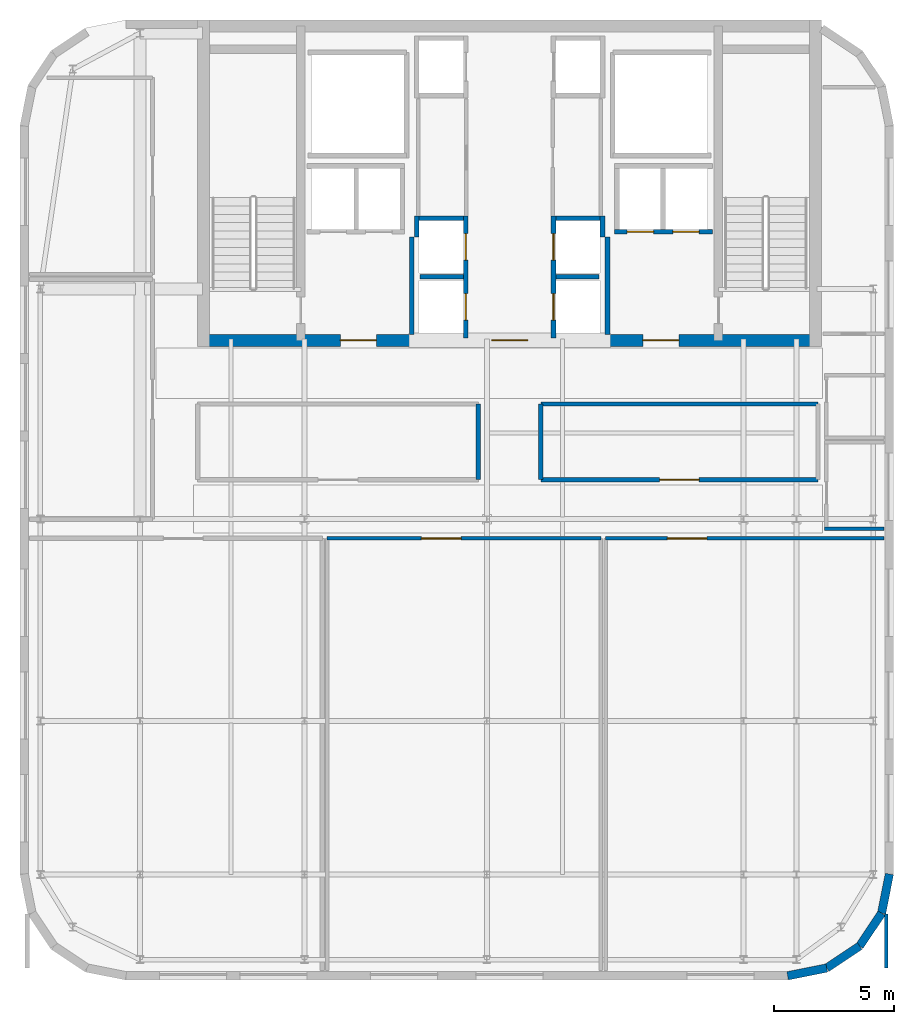
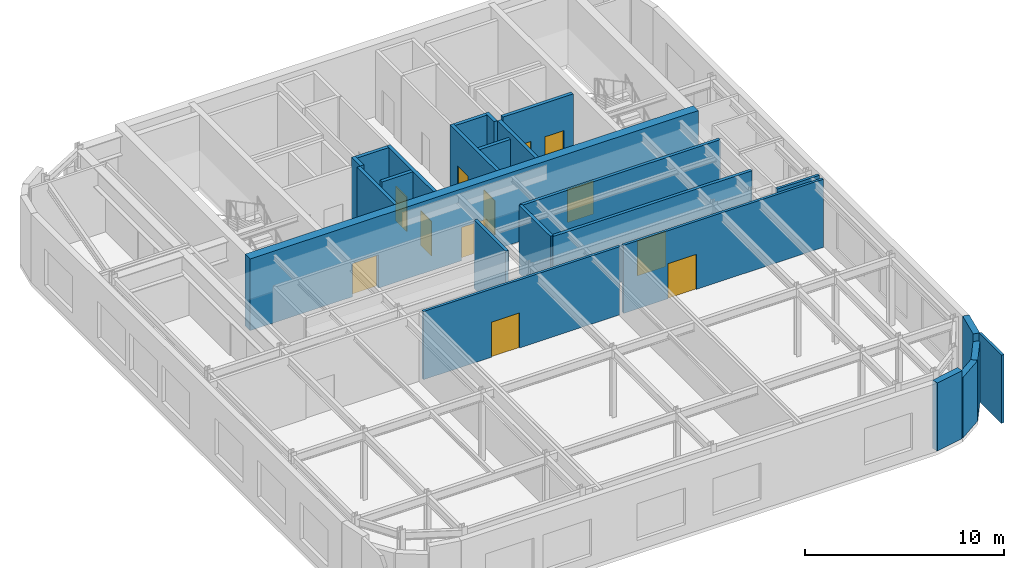
# One storey, part 7 of 10: 24 walls, 12 doors, 12 openings.
"""IFC4 building model written with IfcOpenShell, lengths in metres."""

import ifcopenshell
import ifcopenshell.guid

model = None  # the IFC model being written
_history = None  # IfcOwnerHistory: only IFC2X3 demands one
_inside = {}  # id of a spatial element -> (the spatial element, [elements in it])
_under = {}  # id of a project, library or spatial element -> (it, [spatial elements below it])
_declared = {}  # id of a project -> (the project, [libraries it declares])
_typed = {}  # id of a type object -> (the type object, [elements of that type])
_made_of = {}  # id of a material, layer set ... -> (it, [elements and type objects made of it])


def new_model(schema):
    """Start an empty IFC model of exactly this schema.

    Asked for "IFC4X3", IfcOpenShell would pick the latest addendum, in which some entities
    have other attributes; the version numbers below select the first issue.
    IFC2X3 requires an IfcOwnerHistory on every rooted entity: one is made here for all.
    """
    global model, _history
    if schema == "IFC4X3":
        model = ifcopenshell.file(schema_version=(4, 3, 0, 0))
    else:
        model = ifcopenshell.file(schema=schema)
    _inside.clear()
    _under.clear()
    _declared.clear()
    _typed.clear()
    _made_of.clear()
    _history = None
    if model.schema == "IFC2X3":
        org = make("IfcOrganization", Name="unknown")
        user = make(
            "IfcPersonAndOrganization",
            ThePerson=make("IfcPerson", FamilyName="unknown"),
            TheOrganization=org,
        )
        app = make(
            "IfcApplication",
            ApplicationDeveloper=org,
            Version="unknown",
            ApplicationFullName="unknown",
            ApplicationIdentifier="unknown",
        )
        _history = make(
            "IfcOwnerHistory",
            OwningUser=user,
            OwningApplication=app,
            ChangeAction="ADDED",
            CreationDate=0,
        )
    return model


def make(cls, **values):
    """One entity of the class cls with the attributes given. An attribute that is None is left unset."""
    return model.create_entity(
        cls, **{name: value for name, value in values.items() if value is not None}
    )


def rooted(cls, **values):
    """An entity with a GlobalId (a new one), such as an element, a storey or a relation."""
    return make(cls, GlobalId=ifcopenshell.guid.new(), OwnerHistory=_history, **values)


def si_unit(unit_type, name, prefix=None):
    """IfcSIUnit, for example si_unit("LENGTHUNIT", "METRE", prefix="MILLI")."""
    return make("IfcSIUnit", UnitType=unit_type, Prefix=prefix, Name=name)


def assignment(units):
    """IfcUnitAssignment: the units of a project."""
    return None if units is None else make("IfcUnitAssignment", Units=units)


def point(xyz):
    """IfcCartesianPoint."""
    return None if xyz is None else make("IfcCartesianPoint", Coordinates=xyz)


def direction(xyz):
    """IfcDirection."""
    return None if xyz is None else make("IfcDirection", DirectionRatios=xyz)


def frame(location, z_axis=None, x_axis=None):
    """IfcAxis2Placement3D, a coordinate frame: its origin and axes. An axis left out is left unset."""
    return make(
        "IfcAxis2Placement3D",
        Location=point(location),
        Axis=direction(z_axis),
        RefDirection=direction(x_axis),
    )


def frame_2d(location, x_axis=None):
    """IfcAxis2Placement2D, a coordinate frame in the plane: its origin and x axis."""
    return make(
        "IfcAxis2Placement2D", Location=point(location), RefDirection=direction(x_axis)
    )


def origin():
    """The frame at (0, 0, 0) with its axes left unset."""
    return frame((0.0, 0.0, 0.0))


def place(relative_to, where):
    """IfcLocalPlacement: puts the frame where relative to a parent placement (None: the world)."""
    return make(
        "IfcLocalPlacement", PlacementRelTo=relative_to, RelativePlacement=where
    )


def context(
    kind, dimensions, precision=None, world=None, true_north=None, identifier=None
):
    """IfcGeometricRepresentationContext, for example the 3D "Model" context."""
    return make(
        "IfcGeometricRepresentationContext",
        ContextIdentifier=identifier,
        ContextType=kind,
        CoordinateSpaceDimension=dimensions,
        Precision=precision,
        WorldCoordinateSystem=world,
        TrueNorth=true_north,
    )


def subcontext(parent, identifier, kind, view, scale=None):
    """IfcGeometricRepresentationSubContext, for example "Body" below "Model"."""
    return make(
        "IfcGeometricRepresentationSubContext",
        ContextIdentifier=identifier,
        ContextType=kind,
        ParentContext=parent,
        TargetScale=scale,
        TargetView=view,
    )


def project(units=None, contexts=None):
    """IfcProject with its units and contexts."""
    return rooted(
        "IfcProject",
        Name="project",
        RepresentationContexts=contexts,
        UnitsInContext=assignment(units),
    )


def spatial(cls, under=None, at=None, **own):
    """A site, building, storey or space (cls), placed at a placement, below another one or the project."""
    s = rooted(cls, ObjectPlacement=at, **own)
    if under is not None:
        _under.setdefault(under.id(), (under, []))[1].append(s)
    return s


def profile(cls, at=None, kind="AREA", **sizes):
    """A parametric profile (cls). Its sizes go by their IFC names, for example OverallWidth=200.0."""
    return make(cls, ProfileType=kind, Position=at, **sizes)


def rectangle(**sizes):
    """IfcRectangleProfileDef."""
    return profile("IfcRectangleProfileDef", **sizes)


def extrude(swept, where, along, depth):
    """IfcExtrudedAreaSolid: the profile swept, set in the frame where, extruded along a direction by depth."""
    return make(
        "IfcExtrudedAreaSolid",
        SweptArea=swept,
        Position=where,
        ExtrudedDirection=direction(along),
        Depth=depth,
    )


def shape(context_of_items, identifier, shape_type, items):
    """IfcShapeRepresentation: the items that make up one representation, for example the "Body"."""
    return make(
        "IfcShapeRepresentation",
        ContextOfItems=context_of_items,
        RepresentationIdentifier=identifier,
        RepresentationType=shape_type,
        Items=items,
    )


def source(mapping_origin, context_of_items, identifier, shape_type, items):
    """IfcRepresentationMap: a shape defined once, which mapped items show again and again."""
    return make(
        "IfcRepresentationMap",
        MappingOrigin=mapping_origin,
        MappedRepresentation=shape(context_of_items, identifier, shape_type, items),
    )


def transform(
    local_origin,
    x_axis=None,
    y_axis=None,
    z_axis=None,
    scale=None,
    scale2=None,
    scale3=None,
    uniform=True,
):
    """IfcCartesianTransformationOperator3D, or its non-uniform kind. x_axis, y_axis, z_axis: its Axis1, 2, 3."""
    if uniform:
        return make(
            "IfcCartesianTransformationOperator3D",
            Axis1=direction(x_axis),
            Axis2=direction(y_axis),
            LocalOrigin=point(local_origin),
            Scale=scale,
            Axis3=direction(z_axis),
        )
    return make(
        "IfcCartesianTransformationOperator3DnonUniform",
        Axis1=direction(x_axis),
        Axis2=direction(y_axis),
        LocalOrigin=point(local_origin),
        Scale=scale,
        Axis3=direction(z_axis),
        Scale2=scale2,
        Scale3=scale3,
    )


def mapped(mapping_source, mapping_target):
    """IfcMappedItem: shows the shape of a source again, moved by a transform."""
    return make(
        "IfcMappedItem", MappingSource=mapping_source, MappingTarget=mapping_target
    )


def material(Name=None, Category=None):
    """IfcMaterial."""
    return make("IfcMaterial", Name=Name, Category=Category)


def layer(
    of_material, thickness, ventilated=None, Name=None, Category=None, Priority=None
):
    """IfcMaterialLayer: one layer of a wall or slab, of a material (None: an air gap)."""
    return make(
        "IfcMaterialLayer",
        Material=of_material,
        LayerThickness=thickness,
        IsVentilated=ventilated,
        Name=Name,
        Category=Category,
        Priority=Priority,
    )


def layer_set(layers, Name=None):
    """IfcMaterialLayerSet."""
    return make("IfcMaterialLayerSet", MaterialLayers=layers, LayerSetName=Name)


def made_of(thing, what):
    """Note that an element or type object is made of a material, layer set ...; save() writes the relation."""
    if what is not None:
        _made_of.setdefault(what.id(), (what, []))[1].append(thing)
    return thing


def type_object(cls, material=None, **own):
    """A type object (cls), such as IfcWallType, which elements share."""
    return made_of(rooted(cls, **own), material)


def type_shapes(of_type, sources):
    """Give a type object the sources (RepresentationMaps) that its elements show as mapped items."""
    of_type.RepresentationMaps = sources


def element(
    cls,
    number,
    at=None,
    inside=None,
    cuts=None,
    type_object=None,
    material=None,
    context=None,
    identifier="Body",
    shape_type=None,
    held_by="IfcProductDefinitionShape",
    body=None,
    shapes=None,
    **own,
):
    """One element of the class cls, such as IfcWall. Its Tag is "e" and its number.

    at: its placement. inside: the storey or other place that contains it. cuts: it is an
    opening in that element (IfcRelVoidsElement). A single representation is given by context,
    identifier, shape_type and body (its items); several are given by shapes. held_by: the class
    of the entity that holds the representations. save() writes the other relations.
    """
    e = rooted(cls, Tag="e%d" % number, ObjectPlacement=at, **own)
    if body is not None:
        shapes = [shape(context, identifier, shape_type, body)]
    if shapes is not None:
        e.Representation = make(held_by, Representations=shapes)
    if inside is not None:
        _inside.setdefault(inside.id(), (inside, []))[1].append(e)
    if cuts is not None:
        rooted(
            "IfcRelVoidsElement", RelatingBuildingElement=cuts, RelatedOpeningElement=e
        )
    if type_object is not None:
        _typed.setdefault(type_object.id(), (type_object, []))[1].append(e)
    return made_of(e, material)


def fill(opening, filler):
    """IfcRelFillsElement: the door or window that sits in an opening."""
    return rooted(
        "IfcRelFillsElement",
        RelatingOpeningElement=opening,
        RelatedBuildingElement=filler,
    )


def aggregate(whole, parts):
    """IfcRelAggregates: a whole, such as a stair, and the parts it consists of."""
    return rooted("IfcRelAggregates", RelatingObject=whole, RelatedObjects=parts)


def save(model, path):
    """Write the relations noted so far, then the file.

    IfcRelAggregates (storeys below a building ...), IfcRelContainedInSpatialStructure (elements
    in a storey), IfcRelDefinesByType, IfcRelAssociatesMaterial and IfcRelDeclares: one each for
    every whole, place, type object, material and project.
    """
    for whole, parts in _under.values():
        aggregate(whole, parts)
    for where, things in _inside.values():
        rooted(
            "IfcRelContainedInSpatialStructure",
            RelatedElements=things,
            RelatingStructure=where,
        )
    for kind, things in _typed.values():
        rooted("IfcRelDefinesByType", RelatedObjects=things, RelatingType=kind)
    for what, things in _made_of.values():
        rooted("IfcRelAssociatesMaterial", RelatedObjects=things, RelatingMaterial=what)
    for by, libraries in _declared.values():
        rooted("IfcRelDeclares", RelatingContext=by, RelatedDefinitions=libraries)
    model.write(path)


model = new_model("IFC4")

# Units and contexts
model_context = context("Model", 3, precision=1e-05, world=origin(), true_north=direction((0.0, 1.0)))
body_context = subcontext(model_context, "Body", "Model", "MODEL_VIEW")
ifc_project = project(units=[si_unit("LENGTHUNIT", "METRE"), si_unit("AREAUNIT", "SQUARE_METRE"), si_unit("VOLUMEUNIT", "CUBIC_METRE"), si_unit("PLANEANGLEUNIT", "RADIAN"), si_unit("MASSUNIT", "GRAM", prefix="KILO")], contexts=[model_context])

# Site, building, storey
site_placement = place(None, origin())
site = spatial("IfcSite", under=ifc_project, at=site_placement, CompositionType="ELEMENT")
building_placement = place(site_placement, origin())
building = spatial("IfcBuilding", under=site, at=building_placement, Name="Tolvann Quenvar Hotel", CompositionType="ELEMENT")
storey_placement = place(building_placement, frame((0.0, 0.0, 282.14990234375)))
storey = spatial("IfcBuildingStorey", under=building, at=storey_placement, Name="L75", CompositionType="ELEMENT", Elevation=282.14990234375)

# Wall, openings, doors
ifc_material_1 = material(Name="Concrete N50 (50 MPa)", Category="concrete")
ifc_layer_1 = layer(ifc_material_1, 0.5)
ifc_layer_set_1 = layer_set([ifc_layer_1], Name="Concrete N50 (50 MPa)")
wall_type_1 = type_object("IfcWallType", Name="WALL_CORE_500", PredefinedType="SHEAR", material=ifc_layer_set_1)
wall_1_placement = place(storey_placement, frame((10.0, 31.85009765625, 0.0), z_axis=(0.0, 0.0, 1.0), x_axis=(1.0, 0.0, 0.0)))
wall_1 = element("IfcWall", 1, at=wall_1_placement, inside=storey, type_object=wall_type_1, Name="Rear Core S Shear Wall (L75)", PredefinedType="SHEAR", context=body_context, shape_type="SweptSolid", body=[
    extrude(rectangle(XDim=26.0, YDim=0.5, at=frame_2d((13.0, 0.0))), origin(), (0.0, 0.0, 1.0), 4.400146484375),
])
opening_1_placement = place(wall_1_placement, frame((7.449951171875, 0.0, 0.0), z_axis=(0.0, 0.0, 1.0), x_axis=(-1.0, 0.0, 0.0)))
opening_1 = element("IfcOpeningElement", 2, at=opening_1_placement, cuts=wall_1, Name="Opening FD-60D", PredefinedType="OPENING", context=body_context, shape_type="SweptSolid", body=[
    extrude(rectangle(XDim=1.5, YDim=2.0400390625, at=frame_2d((0.75, 1.02001953125))), frame((0.0, 0.260009765625, 0.0), z_axis=(0.0, -1.0, 0.0), x_axis=(1.0, 0.0, 0.0)), (0.0, 0.0, 1.0), 0.52001953125),
])
opening_2_placement = place(wall_1_placement, frame((13.75, 0.0, 0.0), z_axis=(0.0, 0.0, 1.0), x_axis=(-1.0, 0.0, 0.0)))
opening_2 = element("IfcOpeningElement", 3, at=opening_2_placement, cuts=wall_1, Name="Opening FD-60D", PredefinedType="OPENING", context=body_context, shape_type="SweptSolid", body=[
    extrude(rectangle(XDim=1.5, YDim=2.0400390625, at=frame_2d((0.75, 1.02001953125))), frame((0.0, 0.260009765625, 0.0), z_axis=(0.0, -1.0, 0.0), x_axis=(1.0, 0.0, 0.0)), (0.0, 0.0, 1.0), 0.52001953125),
])
opening_3_placement = place(wall_1_placement, frame((20.050048828125, 0.0, 0.0), z_axis=(0.0, 0.0, 1.0), x_axis=(-1.0, 0.0, 0.0)))
opening_3 = element("IfcOpeningElement", 4, at=opening_3_placement, cuts=wall_1, Name="Opening FD-60D", PredefinedType="OPENING", context=body_context, shape_type="SweptSolid", body=[
    extrude(rectangle(XDim=1.5, YDim=2.0400390625, at=frame_2d((0.75, 1.02001953125))), frame((0.0, 0.260009765625, 0.0), z_axis=(0.0, -1.0, 0.0), x_axis=(1.0, 0.0, 0.0)), (0.0, 0.0, 1.0), 0.52001953125),
])
ifc_material_2 = material(Name="Solid-core American oak acoustic fire door leaf in steel frame", Category="steel")
door_type_1 = type_object("IfcDoorType", Name="DOOR_FIRE_LOBBY_1500", OperationType="NOTDEFINED", PredefinedType="DOOR", material=ifc_material_2)
shared_shape_1 = source(origin(), body_context, "Body", "SweptSolid", [
    extrude(rectangle(XDim=1.5, YDim=2.0400390625, at=frame_2d((0.75, 1.02001953125))), frame((0.0, 0.02490234375, 0.0), z_axis=(0.0, -1.0, 0.0), x_axis=(1.0, 0.0, 0.0)), (0.0, 0.0, 1.0), 0.050048828125),
])
type_shapes(door_type_1, [shared_shape_1])
door_1_placement = place(opening_1_placement, origin())
door_1 = element("IfcDoor", 5, at=door_1_placement, inside=storey, type_object=door_type_1, Name="Core Lobby Fire Door FFW (L75)", OperationType="DOUBLE_DOOR_SINGLE_SWING", OverallHeight=2.0400390625, OverallWidth=1.5, PredefinedType="DOOR", context=body_context, shape_type="MappedRepresentation", body=[
    mapped(shared_shape_1, transform((0.0, 0.0, 0.0), x_axis=(1.0, 0.0, 0.0), y_axis=(0.0, 1.0, 0.0), z_axis=(0.0, 0.0, 1.0), scale=1.0)),
])
fill(opening_1, door_1)
door_2_placement = place(opening_2_placement, origin())
door_2 = element("IfcDoor", 6, at=door_2_placement, inside=storey, type_object=door_type_1, Name="Core Lobby Fire Door CLOB (L75)", OperationType="DOUBLE_DOOR_SINGLE_SWING", OverallHeight=2.0400390625, OverallWidth=1.5, PredefinedType="DOOR", context=body_context, shape_type="MappedRepresentation", body=[
    mapped(shared_shape_1, transform((0.0, 0.0, 0.0), x_axis=(1.0, 0.0, 0.0), y_axis=(0.0, 1.0, 0.0), z_axis=(0.0, 0.0, 1.0), scale=1.0)),
])
fill(opening_2, door_2)
door_3_placement = place(opening_3_placement, origin())
door_3 = element("IfcDoor", 7, at=door_3_placement, inside=storey, type_object=door_type_1, Name="Core Lobby Fire Door FFE (L75)", OperationType="DOUBLE_DOOR_SINGLE_SWING", OverallHeight=2.0400390625, OverallWidth=1.5, PredefinedType="DOOR", context=body_context, shape_type="MappedRepresentation", body=[
    mapped(shared_shape_1, transform((0.0, 0.0, 0.0), x_axis=(1.0, 0.0, 0.0), y_axis=(0.0, 1.0, 0.0), z_axis=(0.0, 0.0, 1.0), scale=1.0)),
])
fill(opening_3, door_3)

# Walls
ifc_material_3 = material(Name="Kiln-fired red and buff architectural clay brickwork and terracotta masonry", Category="masonry")
ifc_layer_2 = layer(ifc_material_3, 0.35009765625)
ifc_layer_set_2 = layer_set([ifc_layer_2], Name="Kiln-fired red and buff architectural clay brickwork and terracotta masonry")
wall_type_2 = type_object("IfcWallType", Name="WALL_EXT_BRICK_350", PredefinedType="SOLIDWALL", material=ifc_layer_set_2)
wall_2_placement = place(storey_placement, frame((34.582763671875, 5.375, 0.0), z_axis=(0.0, 0.0, 1.0), x_axis=(0.980794424524, 0.195044345786, 0.0)))
element("IfcWall", 8, at=wall_2_placement, inside=storey, type_object=wall_type_2, Name="Exterior Chicago Brick Wall L75-E05", PredefinedType="SOLIDWALL", context=body_context, shape_type="SweptSolid", body=[
    extrude(rectangle(XDim=1.664794921875, YDim=0.35009765625, at=frame_2d((0.83251953125, 0.0))), origin(), (0.0, 0.0, 1.0), 4.18017578125),
])
for number, where, z_axis, x_axis, name in (
    (9, (36.215576171875, 5.69970703125, 0.0), (0.0, 0.0, 1.0), (0.831434158098, 0.555623290322, 0.0), "Exterior Chicago Brick Wall L75-E06"),
    (10, (37.585205078125, 6.614990234375, 0.0), (0.0, 0.0, 1.0), (0.555520825599, 0.831502623162, 0.0), "Exterior Chicago Brick Wall L75-E07"),
):
    element("IfcWall", number, at=place(storey_placement, frame(where, z_axis=z_axis, x_axis=x_axis)), inside=storey, type_object=wall_type_2, Name=name, PredefinedType="SOLIDWALL", context=body_context, shape_type="SweptSolid", body=[
        extrude(rectangle(XDim=1.647216796875, YDim=0.35009765625, at=frame_2d((0.82373046875, 0.0))), origin(), (0.0, 0.0, 1.0), 3.710205078125),
    ])
wall_3_placement = place(storey_placement, frame((38.500244140625, 7.984619140625, 0.0), z_axis=(0.0, 0.0, 1.0), x_axis=(0.195072403631, 0.980788844421, 0.0)))
element("IfcWall", 11, at=wall_3_placement, inside=storey, type_object=wall_type_2, Name="Exterior Chicago Brick Wall L75-E08", PredefinedType="SOLIDWALL", context=body_context, shape_type="SweptSolid", body=[
    extrude(rectangle(XDim=1.66455078125, YDim=0.35009765625, at=frame_2d((0.832275390625, 0.0))), origin(), (0.0, 0.0, 1.0), 4.18017578125),
])
ifc_material_4 = material(Name="Acoustic twin-stud fire-rated gypsum plasterboard partition")
ifc_layer_3 = layer(ifc_material_4, 0.179931640625)
ifc_layer_set_3 = layer_set([ifc_layer_3], Name="Acoustic twin-stud fire-rated gypsum plasterboard partition")
wall_type_3 = type_object("IfcWallType", Name="WALL_PART_ACOUSTIC_180", PredefinedType="PARTITIONING", material=ifc_layer_set_3)
wall_4_placement = place(storey_placement, frame((21.699951171875, 26.050048828125, 0.0), z_axis=(0.0, 0.0, 1.0), x_axis=(0.0, 1.0, 0.0)))
element("IfcWall", 12, at=wall_4_placement, inside=storey, type_object=wall_type_3, Name="Interior Partition PT-SPC-L75-SKY1-E", PredefinedType="PARTITIONING", context=body_context, shape_type="SweptSolid", body=[
    extrude(rectangle(XDim=3.14990234375, YDim=0.179931640625, at=frame_2d((1.574951171875, 0.0))), origin(), (0.0, 0.0, 1.0), 4.18017578125),
])

# Wall, opening, door
wall_5_placement = place(storey_placement, frame((24.300048828125, 26.050048828125, 0.0), z_axis=(0.0, 0.0, 1.0), x_axis=(1.0, 0.0, 0.0)))
wall_5 = element("IfcWall", 13, at=wall_5_placement, inside=storey, type_object=wall_type_3, Name="Interior Partition PT-SPC-L75-SKY2-S", PredefinedType="PARTITIONING", context=body_context, shape_type="SweptSolid", body=[
    extrude(rectangle(XDim=11.550048828125, YDim=0.179931640625, at=frame_2d((5.77490234375, 0.0))), origin(), (0.0, 0.0, 1.0), 4.18017578125),
])
opening_4_placement = place(wall_5_placement, frame((4.949951171875, 0.0, 0.0)))
opening_4 = element("IfcOpeningElement", 14, at=opening_4_placement, cuts=wall_5, Name="Opening AD-01", PredefinedType="OPENING", context=body_context, shape_type="SweptSolid", body=[
    extrude(rectangle(XDim=1.64990234375, YDim=2.14990234375, at=frame_2d((0.824951171875, 1.074951171875))), frame((0.0, 0.10009765625, 0.0), z_axis=(0.0, -1.0, 0.0), x_axis=(1.0, 0.0, 0.0)), (0.0, 0.0, 1.0), 0.199951171875),
])
door_type_2 = type_object("IfcDoorType", Name="DOOR_SALON_1650", OperationType="NOTDEFINED", PredefinedType="DOOR", material=ifc_material_2)
shared_shape_2 = source(origin(), body_context, "Body", "SweptSolid", [
    extrude(rectangle(XDim=1.64990234375, YDim=2.14990234375, at=frame_2d((0.824951171875, 1.074951171875))), frame((0.0, 0.02490234375, 0.0), z_axis=(0.0, -1.0, 0.0), x_axis=(1.0, 0.0, 0.0)), (0.0, 0.0, 1.0), 0.050048828125),
])
type_shapes(door_type_2, [shared_shape_2])
door_4_placement = place(opening_4_placement, origin())
door_4 = element("IfcDoor", 15, at=door_4_placement, inside=storey, type_object=door_type_2, Name="Interior Door DOOR-SPC-L75-SKY2", OperationType="DOUBLE_DOOR_SINGLE_SWING", OverallHeight=2.14990234375, OverallWidth=1.64990234375, PredefinedType="DOOR", context=body_context, shape_type="MappedRepresentation", body=[
    mapped(shared_shape_2, transform((0.0, 0.0, 0.0), x_axis=(1.0, 0.0, 0.0), y_axis=(0.0, 1.0, 0.0), z_axis=(0.0, 0.0, 1.0), scale=1.0)),
])
fill(opening_4, door_4)

# Walls
wall_6_placement = place(storey_placement, frame((24.300048828125, 29.199951171875, 0.0), z_axis=(0.0, 0.0, 1.0), x_axis=(1.0, 0.0, 0.0)))
element("IfcWall", 16, at=wall_6_placement, inside=storey, type_object=wall_type_3, Name="Interior Partition PT-SPC-L75-SKY2-N", PredefinedType="PARTITIONING", context=body_context, shape_type="SweptSolid", body=[
    extrude(rectangle(XDim=11.550048828125, YDim=0.179931640625, at=frame_2d((5.77490234375, 0.0))), origin(), (0.0, 0.0, 1.0), 4.18017578125),
])
wall_7_placement = place(storey_placement, frame((24.300048828125, 26.050048828125, 0.0), z_axis=(0.0, 0.0, 1.0), x_axis=(0.0, 1.0, 0.0)))
element("IfcWall", 17, at=wall_7_placement, inside=storey, type_object=wall_type_3, Name="Interior Partition PT-SPC-L75-SKY2-W", PredefinedType="PARTITIONING", context=body_context, shape_type="SweptSolid", body=[
    extrude(rectangle(XDim=3.14990234375, YDim=0.179931640625, at=frame_2d((1.574951171875, 0.0))), origin(), (0.0, 0.0, 1.0), 4.18017578125),
])

# Wall, opening, door
ifc_layer_4 = layer(ifc_material_4, 0.14990234375)
ifc_layer_set_4 = layer_set([ifc_layer_4], Name="Acoustic twin-stud fire-rated gypsum plasterboard partition")
wall_type_4 = type_object("IfcWallType", Name="WALL_PART_SUITE_150", PredefinedType="PARTITIONING", material=ifc_layer_set_4)
wall_8_placement = place(storey_placement, frame((15.39990234375, 23.60009765625, 0.0), z_axis=(0.0, 0.0, 1.0), x_axis=(1.0, 0.0, 0.0)))
wall_8 = element("IfcWall", 18, at=wall_8_placement, inside=storey, type_object=wall_type_4, Name="Interior Partition PT-SPC-L75-OBS-SC-N", PredefinedType="PARTITIONING", context=body_context, shape_type="SweptSolid", body=[
    extrude(rectangle(XDim=11.400146484375, YDim=0.14990234375, at=frame_2d((5.7001953125, 0.0))), origin(), (0.0, 0.0, 1.0), 4.18017578125),
])
opening_5_placement = place(wall_8_placement, frame((3.925048828125, 0.0, 0.0)))
opening_5 = element("IfcOpeningElement", 19, at=opening_5_placement, cuts=wall_8, Name="Opening AD-01", PredefinedType="OPENING", context=body_context, shape_type="SweptSolid", body=[
    extrude(rectangle(XDim=1.64990234375, YDim=2.14990234375, at=frame_2d((0.824951171875, 1.074951171875))), frame((0.0, 0.0849609375, 0.0), z_axis=(0.0, -1.0, 0.0), x_axis=(1.0, 0.0, 0.0)), (0.0, 0.0, 1.0), 0.169921875),
])
door_5_placement = place(opening_5_placement, origin())
door_5 = element("IfcDoor", 20, at=door_5_placement, inside=storey, type_object=door_type_2, Name="Interior Door DOOR-SPC-L75-OBS-SC", OperationType="DOUBLE_DOOR_SINGLE_SWING", OverallHeight=2.14990234375, OverallWidth=1.64990234375, PredefinedType="DOOR", context=body_context, shape_type="MappedRepresentation", body=[
    mapped(shared_shape_2, transform((0.0, 0.0, 0.0), x_axis=(1.0, 0.0, 0.0), y_axis=(0.0, 1.0, 0.0), z_axis=(0.0, 0.0, 1.0), scale=1.0)),
])
fill(opening_5, door_5)

wall_9_placement = place(storey_placement, frame((27.0, 23.60009765625, 0.0), z_axis=(0.0, 0.0, 1.0), x_axis=(1.0, 0.0, 0.0)))
wall_9 = element("IfcWall", 21, at=wall_9_placement, inside=storey, type_object=wall_type_4, Name="Interior Partition PT-SPC-L75-OBS-SE-N", PredefinedType="PARTITIONING", context=body_context, shape_type="SweptSolid", body=[
    extrude(rectangle(XDim=11.594970703125, YDim=0.14990234375, at=frame_2d((5.79736328125, 0.0))), origin(), (0.0, 0.0, 1.0), 4.18017578125),
])
opening_6_placement = place(wall_9_placement, frame((2.572509765625, 0.0, 0.0)))
opening_6 = element("IfcOpeningElement", 22, at=opening_6_placement, cuts=wall_9, Name="Opening AD-01", PredefinedType="OPENING", context=body_context, shape_type="SweptSolid", body=[
    extrude(rectangle(XDim=1.64990234375, YDim=2.14990234375, at=frame_2d((0.824951171875, 1.074951171875))), frame((0.0, 0.0849609375, 0.0), z_axis=(0.0, -1.0, 0.0), x_axis=(1.0, 0.0, 0.0)), (0.0, 0.0, 1.0), 0.169921875),
])
door_6_placement = place(opening_6_placement, origin())
door_6 = element("IfcDoor", 23, at=door_6_placement, inside=storey, type_object=door_type_2, Name="Interior Door DOOR-SPC-L75-OBS-SE", OperationType="DOUBLE_DOOR_SINGLE_SWING", OverallHeight=2.14990234375, OverallWidth=1.64990234375, PredefinedType="DOOR", context=body_context, shape_type="MappedRepresentation", body=[
    mapped(shared_shape_2, transform((0.0, 0.0, 0.0), x_axis=(1.0, 0.0, 0.0), y_axis=(0.0, 1.0, 0.0), z_axis=(0.0, 0.0, 1.0), scale=1.0)),
])
fill(opening_6, door_6)

# Walls
wall_10_placement = place(storey_placement, frame((38.699951171875, 5.699951171875, 0.0), z_axis=(0.0, 0.0, 1.0), x_axis=(0.0, 1.0, 0.0)))
element("IfcWall", 24, at=wall_10_placement, inside=storey, type_object=wall_type_4, Name="Interior Partition PT-SPC-L75-OBS-SE-E", PredefinedType="PARTITIONING", context=body_context, shape_type="SweptSolid", body=[
    extrude(rectangle(XDim=2.2451171875, YDim=0.14990234375, at=frame_2d((1.12255859375, 0.0))), origin(), (0.0, 0.0, 1.0), 4.18017578125),
])
wall_11_placement = place(storey_placement, frame((36.1298828125, 24.0, 0.0), z_axis=(0.0, 0.0, 1.0), x_axis=(1.0, 0.0, 0.0)))
element("IfcWall", 25, at=wall_11_placement, inside=storey, type_object=wall_type_4, Name="Interior Partition PT-SPC-L75-WC1-S", PredefinedType="PARTITIONING", context=body_context, shape_type="SweptSolid", body=[
    extrude(rectangle(XDim=2.465087890625, YDim=0.14990234375, at=frame_2d((1.232421875, 0.0))), origin(), (0.0, 0.0, 1.0), 4.18017578125),
])
ifc_material_5 = material(Name="Concrete N40 (40 MPa)", Category="concrete")
ifc_layer_5 = layer(ifc_material_5, 0.199951171875)
ifc_layer_set_5 = layer_set([ifc_layer_5], Name="Concrete N40 (40 MPa)")
wall_type_5 = type_object("IfcWallType", Name="WALL_SHAFT_200", PredefinedType="SOLIDWALL", material=ifc_layer_set_5)
for number, where, z_axis, x_axis, name in (
    (26, (18.919921875, 32.10400390625, 0.0), (0.0, 0.0, 1.0), (0.0, 1.0, 0.0), "Firefighting Lobby W Inner Fire Wall (L75)"),
    (27, (27.080078125, 32.10400390625, 0.0), (0.0, 0.0, 1.0), (0.0, 1.0, 0.0), "Firefighting Lobby E Inner Fire Wall (L75)"),
):
    element("IfcWall", number, at=place(storey_placement, frame(where, z_axis=z_axis, x_axis=x_axis)), inside=storey, type_object=wall_type_5, Name=name, PredefinedType="SOLIDWALL", context=body_context, shape_type="SweptSolid", body=[
        extrude(rectangle(XDim=4.0458984375, YDim=0.199951171875, at=frame_2d((2.02294921875, 0.0))), origin(), (0.0, 0.0, 1.0), 4.18017578125),
    ])

# Wall, openings, doors
wall_12_placement = place(storey_placement, frame((21.169921875, 31.9599609375, 0.0), z_axis=(0.0, 0.0, 1.0), x_axis=(0.0, 1.0, 0.0)))
wall_12 = element("IfcWall", 28, at=wall_12_placement, inside=storey, type_object=wall_type_5, Name="Lift Bank E21.1C1 Hoistway Front Wall (L75)", PredefinedType="SOLIDWALL", context=body_context, shape_type="SweptSolid", body=[
    extrude(rectangle(XDim=5.080078125, YDim=0.199951171875, at=frame_2d((2.5400390625, 0.0))), origin(), (0.0, 0.0, 1.0), 4.18017578125),
])
opening_7_placement = place(wall_12_placement, frame((0.739990234375, 0.0, 0.0)))
opening_7 = element("IfcOpeningElement", 29, at=opening_7_placement, cuts=wall_12, Name="Opening LD-01", PredefinedType="OPENING", context=body_context, shape_type="SweptSolid", body=[
    extrude(rectangle(XDim=1.10009765625, YDim=2.1201171875, at=frame_2d((0.550048828125, 1.06005859375))), frame((0.0, 0.10986328125, 0.0), z_axis=(0.0, -1.0, 0.0), x_axis=(1.0, 0.0, 0.0)), (0.0, 0.0, 1.0), 0.219970703125),
])
opening_8_placement = place(wall_12_placement, frame((3.239990234375, 0.0, 0.0)))
opening_8 = element("IfcOpeningElement", 30, at=opening_8_placement, cuts=wall_12, Name="Opening LD-01", PredefinedType="OPENING", context=body_context, shape_type="SweptSolid", body=[
    extrude(rectangle(XDim=1.10009765625, YDim=2.1201171875, at=frame_2d((0.550048828125, 1.06005859375))), frame((0.0, 0.10986328125, 0.0), z_axis=(0.0, -1.0, 0.0), x_axis=(1.0, 0.0, 0.0)), (0.0, 0.0, 1.0), 0.219970703125),
])
ifc_material_6 = material(Name="Brushed 316 stainless steel automatic sliding lift landing door", Category="steel")
door_type_3 = type_object("IfcDoorType", Name="DOOR_LIFT_SLIDE_1100", OperationType="NOTDEFINED", PredefinedType="DOOR", material=ifc_material_6)
shared_shape_3 = source(origin(), body_context, "Body", "SweptSolid", [
    extrude(rectangle(XDim=1.10009765625, YDim=2.1201171875, at=frame_2d((0.550048828125, 1.06005859375))), frame((0.0, 0.02490234375, 0.0), z_axis=(0.0, -1.0, 0.0), x_axis=(1.0, 0.0, 0.0)), (0.0, 0.0, 1.0), 0.050048828125),
])
type_shapes(door_type_3, [shared_shape_3])
door_7_placement = place(opening_7_placement, origin())
door_7 = element("IfcDoor", 31, at=door_7_placement, inside=storey, type_object=door_type_3, Name="Lift PH-1 Sliding Landing Door (L75)", OperationType="SLIDING_TO_LEFT", OverallHeight=2.1201171875, OverallWidth=1.10009765625, PredefinedType="DOOR", context=body_context, shape_type="MappedRepresentation", body=[
    mapped(shared_shape_3, transform((0.0, 0.0, 0.0), x_axis=(1.0, 0.0, 0.0), y_axis=(0.0, 1.0, 0.0), z_axis=(0.0, 0.0, 1.0), scale=1.0)),
])
fill(opening_7, door_7)
door_8_placement = place(opening_8_placement, origin())
door_8 = element("IfcDoor", 32, at=door_8_placement, inside=storey, type_object=door_type_3, Name="Lift PH-2 Sliding Landing Door (L75)", OperationType="SLIDING_TO_RIGHT", OverallHeight=2.1201171875, OverallWidth=1.10009765625, PredefinedType="DOOR", context=body_context, shape_type="MappedRepresentation", body=[
    mapped(shared_shape_3, transform((0.0, 0.0, 0.0), x_axis=(1.0, 0.0, 0.0), y_axis=(0.0, 1.0, 0.0), z_axis=(0.0, 0.0, 1.0), scale=1.0)),
])
fill(opening_8, door_8)

# Walls
wall_13_placement = place(storey_placement, frame((19.1298828125, 36.159912109375, 0.0), z_axis=(0.0, 0.0, 1.0), x_axis=(0.0, 1.0, 0.0)))
element("IfcWall", 33, at=wall_13_placement, inside=storey, type_object=wall_type_5, Name="Lift Bank E21.1C1 Hoistway Rear Wall (L75)", PredefinedType="SOLIDWALL", context=body_context, shape_type="SweptSolid", body=[
    extrude(rectangle(XDim=0.880126953125, YDim=0.199951171875, at=frame_2d((0.43994140625, 0.0))), origin(), (0.0, 0.0, 1.0), 4.18017578125),
])
wall_14_placement = place(storey_placement, frame((19.22998046875, 36.93994140625, 0.0), z_axis=(0.0, 0.0, 1.0), x_axis=(1.0, 0.0, 0.0)))
element("IfcWall", 34, at=wall_14_placement, inside=storey, type_object=wall_type_5, Name="Lift Bank E21.1C1 Hoistway Cheek Wall 2 (L75)", PredefinedType="SOLIDWALL", context=body_context, shape_type="SweptSolid", body=[
    extrude(rectangle(XDim=1.840087890625, YDim=0.199951171875, at=frame_2d((0.919921875, 0.0))), origin(), (0.0, 0.0, 1.0), 4.18017578125),
])
wall_15_placement = place(storey_placement, frame((19.27001953125, 34.5, 0.0), z_axis=(0.0, 0.0, 1.0), x_axis=(1.0, 0.0, 0.0)))
element("IfcWall", 35, at=wall_15_placement, inside=storey, type_object=wall_type_5, Name="Lift Bank E21.1C1 Divider Wall 1 (L75)", PredefinedType="SOLIDWALL", context=body_context, shape_type="SweptSolid", body=[
    extrude(rectangle(XDim=1.800048828125, YDim=0.199951171875, at=frame_2d((0.89990234375, 0.0))), origin(), (0.0, 0.0, 1.0), 4.18017578125),
])

# Wall, openings, doors
wall_16_placement = place(storey_placement, frame((27.375, 36.3798828125, 0.0), z_axis=(0.0, 0.0, 1.0), x_axis=(1.0, 0.0, 0.0)))
wall_16 = element("IfcWall", 36, at=wall_16_placement, inside=storey, type_object=wall_type_5, Name="Lift Bank SEC1 Hoistway Front Wall (L75)", PredefinedType="SOLIDWALL", context=body_context, shape_type="SweptSolid", body=[
    extrude(rectangle(XDim=4.074951171875, YDim=0.199951171875, at=frame_2d((2.03759765625, 0.0))), origin(), (0.0, 0.0, 1.0), 4.18017578125),
])
opening_9_placement = place(wall_16_placement, frame((0.52490234375, 0.0, 0.0)))
opening_9 = element("IfcOpeningElement", 37, at=opening_9_placement, cuts=wall_16, Name="Opening LD-01", PredefinedType="OPENING", context=body_context, shape_type="SweptSolid", body=[
    extrude(rectangle(XDim=1.10009765625, YDim=2.1201171875, at=frame_2d((0.550048828125, 1.06005859375))), frame((0.0, 0.10986328125, 0.0), z_axis=(0.0, -1.0, 0.0), x_axis=(1.0, 0.0, 0.0)), (0.0, 0.0, 1.0), 0.219970703125),
])
opening_10_placement = place(wall_16_placement, frame((2.425048828125, 0.0, 0.0)))
opening_10 = element("IfcOpeningElement", 38, at=opening_10_placement, cuts=wall_16, Name="Opening LD-01", PredefinedType="OPENING", context=body_context, shape_type="SweptSolid", body=[
    extrude(rectangle(XDim=1.10009765625, YDim=2.1201171875, at=frame_2d((0.550048828125, 1.06005859375))), frame((0.0, 0.10986328125, 0.0), z_axis=(0.0, -1.0, 0.0), x_axis=(1.0, 0.0, 0.0)), (0.0, 0.0, 1.0), 0.219970703125),
])
door_9_placement = place(opening_9_placement, origin())
door_9 = element("IfcDoor", 39, at=door_9_placement, inside=storey, type_object=door_type_3, Name="Lift SV-2 Sliding Landing Door (L75)", OperationType="SLIDING_TO_LEFT", OverallHeight=2.1201171875, OverallWidth=1.10009765625, PredefinedType="DOOR", context=body_context, shape_type="MappedRepresentation", body=[
    mapped(shared_shape_3, transform((0.0, 0.0, 0.0), x_axis=(1.0, 0.0, 0.0), y_axis=(0.0, 1.0, 0.0), z_axis=(0.0, 0.0, 1.0), scale=1.0)),
])
fill(opening_9, door_9)
door_10_placement = place(opening_10_placement, origin())
door_10 = element("IfcDoor", 40, at=door_10_placement, inside=storey, type_object=door_type_3, Name="Lift FF-2 Sliding Landing Door (L75)", OperationType="SLIDING_TO_RIGHT", OverallHeight=2.1201171875, OverallWidth=1.10009765625, PredefinedType="DOOR", context=body_context, shape_type="MappedRepresentation", body=[
    mapped(shared_shape_3, transform((0.0, 0.0, 0.0), x_axis=(1.0, 0.0, 0.0), y_axis=(0.0, 1.0, 0.0), z_axis=(0.0, 0.0, 1.0), scale=1.0)),
])
fill(opening_10, door_10)

wall_17_placement = place(storey_placement, frame((24.830078125, 31.9599609375, 0.0), z_axis=(0.0, 0.0, 1.0), x_axis=(0.0, 1.0, 0.0)))
wall_17 = element("IfcWall", 41, at=wall_17_placement, inside=storey, type_object=wall_type_5, Name="Lift Bank W24.9C1 Hoistway Front Wall (L75)", PredefinedType="SOLIDWALL", context=body_context, shape_type="SweptSolid", body=[
    extrude(rectangle(XDim=5.080078125, YDim=0.199951171875, at=frame_2d((2.5400390625, 0.0))), origin(), (0.0, 0.0, 1.0), 4.18017578125),
])
opening_11_placement = place(wall_17_placement, frame((0.739990234375, 0.0, 0.0)))
opening_11 = element("IfcOpeningElement", 42, at=opening_11_placement, cuts=wall_17, Name="Opening LD-01", PredefinedType="OPENING", context=body_context, shape_type="SweptSolid", body=[
    extrude(rectangle(XDim=1.10009765625, YDim=2.1201171875, at=frame_2d((0.550048828125, 1.06005859375))), frame((0.0, 0.10986328125, 0.0), z_axis=(0.0, -1.0, 0.0), x_axis=(1.0, 0.0, 0.0)), (0.0, 0.0, 1.0), 0.219970703125),
])
opening_12_placement = place(wall_17_placement, frame((3.239990234375, 0.0, 0.0)))
opening_12 = element("IfcOpeningElement", 43, at=opening_12_placement, cuts=wall_17, Name="Opening LD-01", PredefinedType="OPENING", context=body_context, shape_type="SweptSolid", body=[
    extrude(rectangle(XDim=1.10009765625, YDim=2.1201171875, at=frame_2d((0.550048828125, 1.06005859375))), frame((0.0, 0.10986328125, 0.0), z_axis=(0.0, -1.0, 0.0), x_axis=(1.0, 0.0, 0.0)), (0.0, 0.0, 1.0), 0.219970703125),
])
door_11_placement = place(opening_11_placement, origin())
door_11 = element("IfcDoor", 44, at=door_11_placement, inside=storey, type_object=door_type_3, Name="Lift PH-3 Sliding Landing Door (L75)", OperationType="SLIDING_TO_LEFT", OverallHeight=2.1201171875, OverallWidth=1.10009765625, PredefinedType="DOOR", context=body_context, shape_type="MappedRepresentation", body=[
    mapped(shared_shape_3, transform((0.0, 0.0, 0.0), x_axis=(1.0, 0.0, 0.0), y_axis=(0.0, 1.0, 0.0), z_axis=(0.0, 0.0, 1.0), scale=1.0)),
])
fill(opening_11, door_11)
door_12_placement = place(opening_12_placement, origin())
door_12 = element("IfcDoor", 45, at=door_12_placement, inside=storey, type_object=door_type_3, Name="Lift PH-4 Sliding Landing Door (L75)", OperationType="SLIDING_TO_RIGHT", OverallHeight=2.1201171875, OverallWidth=1.10009765625, PredefinedType="DOOR", context=body_context, shape_type="MappedRepresentation", body=[
    mapped(shared_shape_3, transform((0.0, 0.0, 0.0), x_axis=(1.0, 0.0, 0.0), y_axis=(0.0, 1.0, 0.0), z_axis=(0.0, 0.0, 1.0), scale=1.0)),
])
fill(opening_12, door_12)

# Walls
wall_18_placement = place(storey_placement, frame((26.8701171875, 36.159912109375, 0.0), z_axis=(0.0, 0.0, 1.0), x_axis=(0.0, 1.0, 0.0)))
element("IfcWall", 46, at=wall_18_placement, inside=storey, type_object=wall_type_5, Name="Lift Bank W24.9C1 Hoistway Rear Wall (L75)", PredefinedType="SOLIDWALL", context=body_context, shape_type="SweptSolid", body=[
    extrude(rectangle(XDim=0.880126953125, YDim=0.199951171875, at=frame_2d((0.43994140625, 0.0))), origin(), (0.0, 0.0, 1.0), 4.18017578125),
])
wall_19_placement = place(storey_placement, frame((24.929931640625, 36.93994140625, 0.0), z_axis=(0.0, 0.0, 1.0), x_axis=(1.0, 0.0, 0.0)))
element("IfcWall", 47, at=wall_19_placement, inside=storey, type_object=wall_type_5, Name="Lift Bank W24.9C1 Hoistway Cheek Wall 2 (L75)", PredefinedType="SOLIDWALL", context=body_context, shape_type="SweptSolid", body=[
    extrude(rectangle(XDim=1.840087890625, YDim=0.199951171875, at=frame_2d((0.919921875, 0.0))), origin(), (0.0, 0.0, 1.0), 4.18017578125),
])
wall_20_placement = place(storey_placement, frame((24.929931640625, 34.5, 0.0), z_axis=(0.0, 0.0, 1.0), x_axis=(1.0, 0.0, 0.0)))
element("IfcWall", 48, at=wall_20_placement, inside=storey, type_object=wall_type_5, Name="Lift Bank W24.9C1 Divider Wall 1 (L75)", PredefinedType="SOLIDWALL", context=body_context, shape_type="SweptSolid", body=[
    extrude(rectangle(XDim=1.800048828125, YDim=0.199951171875, at=frame_2d((0.89990234375, 0.0))), origin(), (0.0, 0.0, 1.0), 4.18017578125),
])

save(model, "model.ifc")
